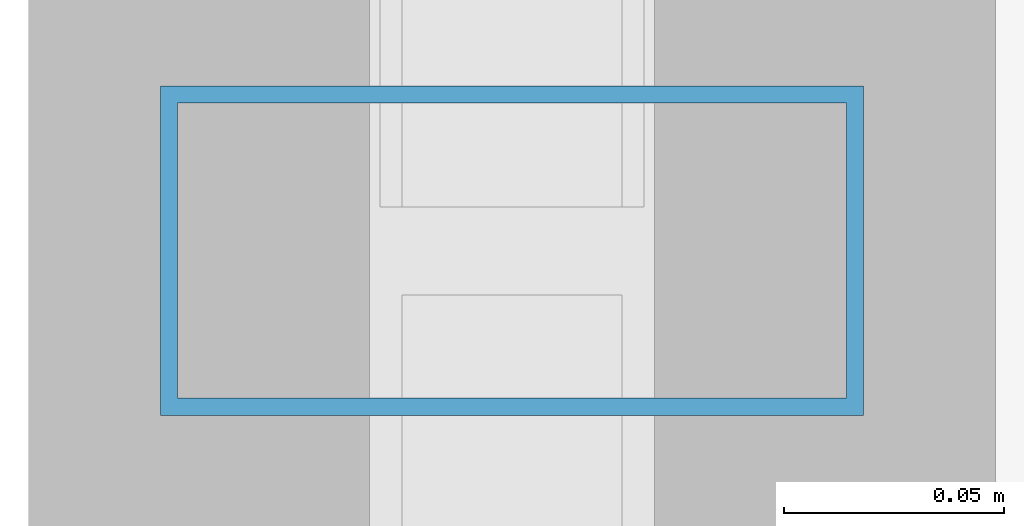
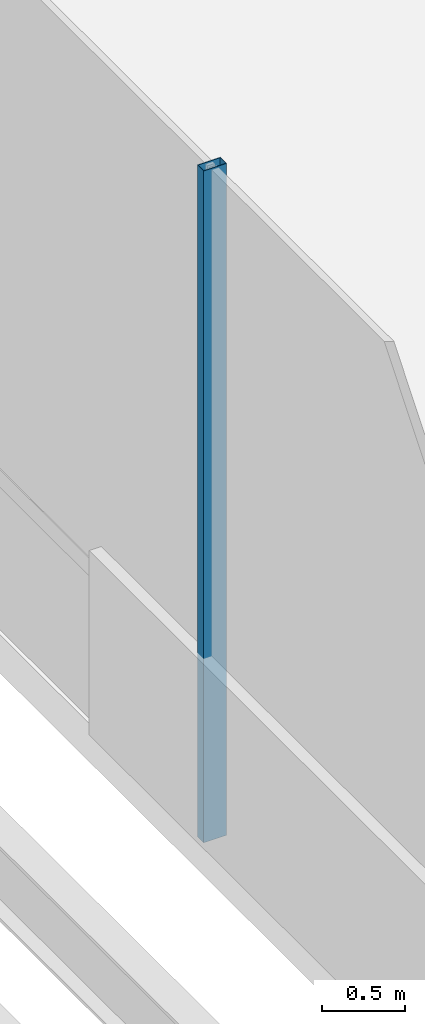
# One storey, part 12 of 27: 1 member, 1 element without a shape of its own.
"""IFC4 building model written with IfcOpenShell, lengths in metres."""

from ifc_helpers import new_model, si_unit, direction, frame, origin, origin_2d, place, context, subcontext, project, spatial, hollow_rectangle, extrude, source, transform, mapped, material, material_profile, profile_set, type_object, element, aggregate, save


model = new_model("IFC4")

# Units and contexts
model_context = context("Model", 3, precision=1e-05, world=origin(), true_north=direction((0.0, 1.0)))
body_context = subcontext(model_context, "Body", "Model", "MODEL_VIEW")
ifc_project = project(units=[si_unit("LENGTHUNIT", "METRE"), si_unit("AREAUNIT", "SQUARE_METRE"), si_unit("VOLUMEUNIT", "CUBIC_METRE"), si_unit("PLANEANGLEUNIT", "RADIAN"), si_unit("MASSUNIT", "GRAM", prefix="KILO")], contexts=[model_context])

# Site, building, storey
site_placement = place(None, origin())
site = spatial("IfcSite", under=ifc_project, at=site_placement, CompositionType="ELEMENT")
building_placement = place(site_placement, origin())
building = spatial("IfcBuilding", under=site, at=building_placement, Name="Valdorenza Pilgrim Sanctuary Tower", CompositionType="ELEMENT")
storey_placement = place(building_placement, origin())
storey = spatial("IfcBuildingStorey", under=building, at=storey_placement, Name="L00", CompositionType="ELEMENT", Elevation=0.0)

# Curtain wall, member
ifc_material_1 = material(Name="Curtain-wall IGU glazing", Category="glass")
curtain_wall_type = type_object("IfcCurtainWallType", Name="CW-SYS-01", PredefinedType="NOTDEFINED", material=ifc_material_1)
curtain_wall_placement = place(storey_placement, origin())
curtain_wall = element("IfcCurtainWall", 1, at=curtain_wall_placement, inside=storey, type_object=curtain_wall_type, Name="L00 Curtain Wall CW-POD-L00-EE", PredefinedType="NOTDEFINED")
ifc_material_2 = material(Name="Anodised aluminium AW-6060", Category="aluminium")
ifc_material_profile = material_profile(ifc_material_2, hollow_rectangle(XDim=0.074951171875, YDim=0.159912109375, WallThickness=0.00390625, at=origin_2d()), Name="ALU-M 160x75x4")
ifc_profile_set = profile_set([ifc_material_profile], Name="Anodised aluminium AW-6060")
member_type = type_object("IfcMemberType", Name="CW-MUL-01", PredefinedType="MULLION", material=ifc_profile_set)
shared_shape = source(origin(), body_context, "Body", "SweptSolid", [
    extrude(hollow_rectangle(XDim=0.074951171875, YDim=0.159912109375, WallThickness=0.00390625, at=origin_2d()), origin(), (0.0, 0.0, 1.0), 4.919921875),
])
member_placement = place(storey_placement, frame((33.85009765625, 4.666748046875, 0.0), z_axis=(0.0, 0.0, 1.0), x_axis=(0.0, 1.0, 0.0)))
member = element("IfcMember", 2, at=member_placement, type_object=member_type, Name="CW-POD-L00-EE Mullion 3", PredefinedType="MULLION", context=body_context, shape_type="MappedRepresentation", body=[
    mapped(shared_shape, transform((0.0, 0.0, 0.0), x_axis=(1.0, 0.0, 0.0), y_axis=(0.0, 1.0, 0.0), z_axis=(0.0, 0.0, 1.0), scale=1.0)),
])
aggregate(curtain_wall, [member])

save(model, "model.ifc")
